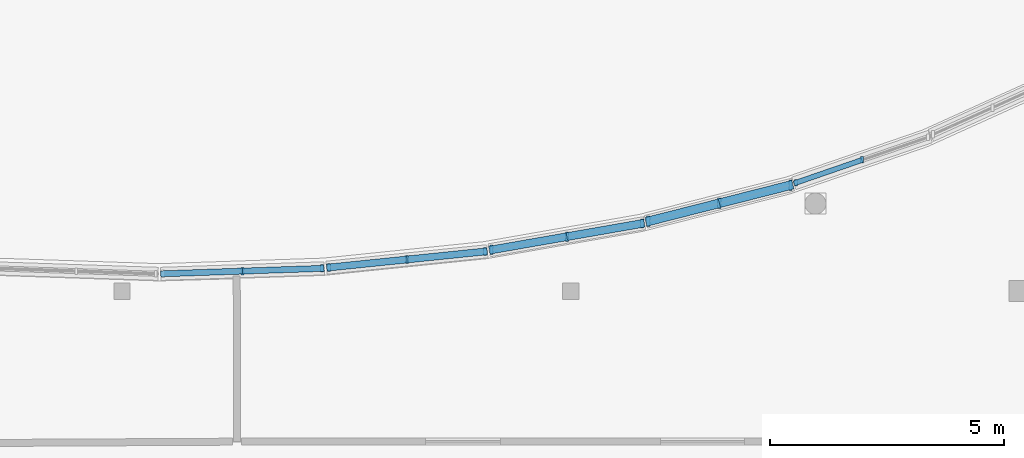
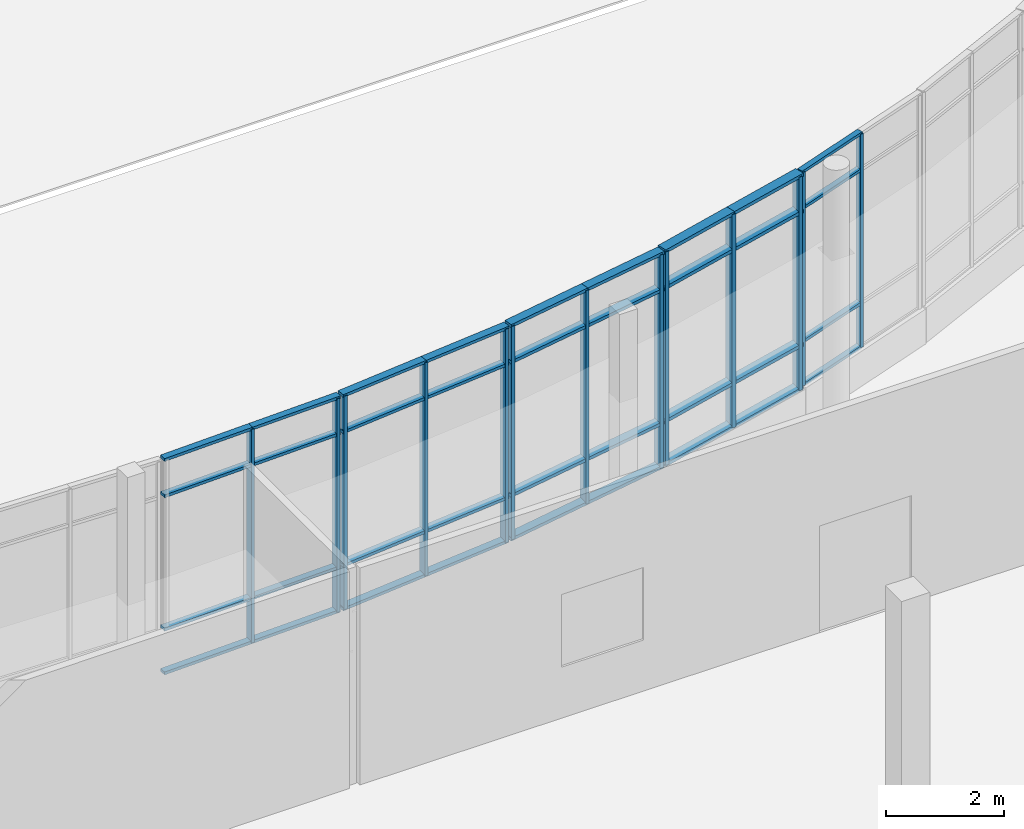
# One storey, part 14 of 84: 49 members, 5 elements without a shape of their own.
"""IFC4 building model written with IfcOpenShell, lengths in metres."""

from ifc_helpers import new_model, si_unit, direction, frame, origin, origin_2d, place, context, subcontext, project, spatial, rectangle, extrude, material, material_profile, profile_set, type_object, element, aggregate, save


model = new_model("IFC4")

# Units and contexts
model_context = context("Model", 3, precision=1e-05, world=origin(), true_north=direction((0.0, 1.0)))
body_context = subcontext(model_context, "Body", "Model", "MODEL_VIEW")
ifc_project = project(units=[si_unit("LENGTHUNIT", "METRE"), si_unit("AREAUNIT", "SQUARE_METRE"), si_unit("VOLUMEUNIT", "CUBIC_METRE"), si_unit("PLANEANGLEUNIT", "RADIAN"), si_unit("MASSUNIT", "GRAM", prefix="KILO")], contexts=[model_context])

# Site, building, storey
site_placement = place(None, origin())
site = spatial("IfcSite", under=ifc_project, at=site_placement, CompositionType="ELEMENT")
building_placement = place(site_placement, origin())
building = spatial("IfcBuilding", under=site, at=building_placement, Name="Mzevani Central Library", CompositionType="ELEMENT")
storey_placement = place(building_placement, origin())
storey = spatial("IfcBuildingStorey", under=building, at=storey_placement, Name="L00", CompositionType="ELEMENT", Elevation=0.0)

# Curtain wall, members
ifc_material_1 = material(Name="Thermally broken aluminium and Low-E triple glazing", Category="aluminium")
curtain_wall_type_1 = type_object("IfcCurtainWallType", Name="Elliptical Court Unitised Curtain Wall", PredefinedType="NOTDEFINED", material=ifc_material_1)
curtain_wall_1_placement = place(storey_placement, origin())
curtain_wall_1 = element("IfcCurtainWall", 1, at=curtain_wall_1_placement, inside=storey, type_object=curtain_wall_type_1, Name="L00 Elliptical Court Curtain Wall 41", PredefinedType="NOTDEFINED")
ifc_material_2 = material(Name="Thermally broken aluminium AW-6060", Category="aluminium")
ifc_material_profile_1 = material_profile(ifc_material_2, rectangle(XDim=0.06005859375, YDim=0.139892578125, at=origin_2d()), Name="ALU M60x140")
ifc_profile_set_1 = profile_set([ifc_material_profile_1], Name="Thermally broken aluminium AW-6060")
member_type_1 = type_object("IfcMemberType", Name="CW Mullion 60x140", PredefinedType="MULLION", material=ifc_profile_set_1)
member_1_placement = place(storey_placement, frame((97.62158203125, 63.920166015625, 0.719970703125), z_axis=(0.0, 0.0, 1.0), x_axis=(1.0, 0.0, 0.0)))
member_1 = element("IfcMember", 2, at=member_1_placement, type_object=member_type_1, Name="L00 Elliptical Court Curtain Wall 41 Mullion 1", PredefinedType="MULLION", context=body_context, shape_type="SweptSolid", body=[
    extrude(rectangle(XDim=0.06005859375, YDim=0.139892578125, at=origin_2d()), origin(), (0.0, 0.0, 1.0), 4.400146484375),
])
member_2_placement = place(storey_placement, frame((99.031494140625, 64.40576171875, 0.719970703125), z_axis=(0.0, 0.0, 1.0), x_axis=(1.0, 0.0, 0.0)))
member_2 = element("IfcMember", 3, at=member_2_placement, type_object=member_type_1, Name="L00 Elliptical Court Curtain Wall 41 Mullion 2", PredefinedType="MULLION", context=body_context, shape_type="SweptSolid", body=[
    extrude(rectangle(XDim=0.06005859375, YDim=0.139892578125, at=origin_2d()), origin(), (0.0, 0.0, 1.0), 4.400146484375),
])

curtain_wall_type_2 = type_object("IfcCurtainWallType", Name="Reading Hall Northlight Curtain Wall", PredefinedType="NOTDEFINED", material=ifc_material_1)
curtain_wall_2_placement = place(storey_placement, origin())
curtain_wall_2 = element("IfcCurtainWall", 4, at=curtain_wall_2_placement, inside=storey, type_object=curtain_wall_type_2, Name="L00 Elliptical Court Curtain Wall 37", PredefinedType="NOTDEFINED")
ifc_material_profile_2 = material_profile(ifc_material_2, rectangle(XDim=0.06005859375, YDim=0.159912109375, at=origin_2d()), Name="ALU M60x160")
ifc_profile_set_2 = profile_set([ifc_material_profile_2], Name="Thermally broken aluminium AW-6060")
member_type_2 = type_object("IfcMemberType", Name="CW Mullion 60x160", PredefinedType="MULLION", material=ifc_profile_set_2)
member_3_placement = place(storey_placement, frame((85.77685546875, 62.028564453125, 0.719970703125), z_axis=(0.0, 0.0, 1.0), x_axis=(1.0, 0.0, 0.0)))
member_3 = element("IfcMember", 5, at=member_3_placement, type_object=member_type_2, Name="L00 Elliptical Court Curtain Wall 37 Mullion 2", PredefinedType="MULLION", context=body_context, shape_type="SweptSolid", body=[
    extrude(rectangle(XDim=0.06005859375, YDim=0.159912109375, at=origin_2d()), origin(), (0.0, 0.0, 1.0), 4.400146484375),
])
member_4_placement = place(storey_placement, frame((87.475830078125, 62.0859375, 0.719970703125), z_axis=(0.0, 0.0, 1.0), x_axis=(1.0, 0.0, 0.0)))
member_4 = element("IfcMember", 6, at=member_4_placement, type_object=member_type_2, Name="L00 Elliptical Court Curtain Wall 37 Mullion 3", PredefinedType="MULLION", context=body_context, shape_type="SweptSolid", body=[
    extrude(rectangle(XDim=0.06005859375, YDim=0.159912109375, at=origin_2d()), origin(), (0.0, 0.0, 1.0), 4.400146484375),
])

curtain_wall_3_placement = place(storey_placement, origin())
curtain_wall_3 = element("IfcCurtainWall", 7, at=curtain_wall_3_placement, inside=storey, type_object=curtain_wall_type_1, Name="L00 Elliptical Court Curtain Wall 38", PredefinedType="NOTDEFINED")
ifc_material_profile_3 = material_profile(ifc_material_2, rectangle(XDim=0.06005859375, YDim=0.179931640625, at=origin_2d()), Name="ALU M60x180")
ifc_profile_set_3 = profile_set([ifc_material_profile_3], Name="Thermally broken aluminium AW-6060")
member_type_3 = type_object("IfcMemberType", Name="CW Mullion 60x180", PredefinedType="MULLION", material=ifc_profile_set_3)
member_5_placement = place(storey_placement, frame((87.626953125, 62.105712890625, 0.719970703125), z_axis=(0.0, 0.0, 1.0), x_axis=(1.0, 0.0, 0.0)))
member_5 = element("IfcMember", 8, at=member_5_placement, type_object=member_type_3, Name="L00 Elliptical Court Curtain Wall 38 Mullion 1", PredefinedType="MULLION", context=body_context, shape_type="SweptSolid", body=[
    extrude(rectangle(XDim=0.06005859375, YDim=0.179931640625, at=origin_2d()), origin(), (0.0, 0.0, 1.0), 4.400146484375),
])
member_6_placement = place(storey_placement, frame((89.29638671875, 62.27685546875, 0.719970703125), z_axis=(0.0, 0.0, 1.0), x_axis=(1.0, 0.0, 0.0)))
member_6 = element("IfcMember", 9, at=member_6_placement, type_object=member_type_3, Name="L00 Elliptical Court Curtain Wall 38 Mullion 2", PredefinedType="MULLION", context=body_context, shape_type="SweptSolid", body=[
    extrude(rectangle(XDim=0.06005859375, YDim=0.179931640625, at=origin_2d()), origin(), (0.0, 0.0, 1.0), 4.400146484375),
])
member_7_placement = place(storey_placement, frame((90.9658203125, 62.447998046875, 0.719970703125), z_axis=(0.0, 0.0, 1.0), x_axis=(1.0, 0.0, 0.0)))
member_7 = element("IfcMember", 10, at=member_7_placement, type_object=member_type_3, Name="L00 Elliptical Court Curtain Wall 38 Mullion 3", PredefinedType="MULLION", context=body_context, shape_type="SweptSolid", body=[
    extrude(rectangle(XDim=0.06005859375, YDim=0.179931640625, at=origin_2d()), origin(), (0.0, 0.0, 1.0), 4.400146484375),
])

curtain_wall_4_placement = place(storey_placement, origin())
curtain_wall_4 = element("IfcCurtainWall", 11, at=curtain_wall_4_placement, inside=storey, type_object=curtain_wall_type_1, Name="L00 Elliptical Court Curtain Wall 39", PredefinedType="NOTDEFINED")
ifc_material_profile_4 = material_profile(ifc_material_2, rectangle(XDim=0.06494140625, YDim=0.199951171875, at=origin_2d()), Name="ALU M65x200")
ifc_profile_set_4 = profile_set([ifc_material_profile_4], Name="Thermally broken aluminium AW-6060")
member_type_4 = type_object("IfcMemberType", Name="CW Mullion 65x200", PredefinedType="MULLION", material=ifc_profile_set_4)
member_8_placement = place(storey_placement, frame((91.106689453125, 62.483154296875, 0.719970703125), z_axis=(0.0, 0.0, 1.0), x_axis=(1.0, 0.0, 0.0)))
member_8 = element("IfcMember", 12, at=member_8_placement, type_object=member_type_4, Name="L00 Elliptical Court Curtain Wall 39 Mullion 1", PredefinedType="MULLION", context=body_context, shape_type="SweptSolid", body=[
    extrude(rectangle(XDim=0.06494140625, YDim=0.199951171875, at=origin_2d()), origin(), (0.0, 0.0, 1.0), 4.400146484375),
])
member_9_placement = place(storey_placement, frame((92.717041015625, 62.764892578125, 0.719970703125), z_axis=(0.0, 0.0, 1.0), x_axis=(1.0, 0.0, 0.0)))
member_9 = element("IfcMember", 13, at=member_9_placement, type_object=member_type_4, Name="L00 Elliptical Court Curtain Wall 39 Mullion 2", PredefinedType="MULLION", context=body_context, shape_type="SweptSolid", body=[
    extrude(rectangle(XDim=0.06494140625, YDim=0.199951171875, at=origin_2d()), origin(), (0.0, 0.0, 1.0), 4.400146484375),
])
member_10_placement = place(storey_placement, frame((94.32763671875, 63.046875, 0.719970703125), z_axis=(0.0, 0.0, 1.0), x_axis=(1.0, 0.0, 0.0)))
member_10 = element("IfcMember", 14, at=member_10_placement, type_object=member_type_4, Name="L00 Elliptical Court Curtain Wall 39 Mullion 3", PredefinedType="MULLION", context=body_context, shape_type="SweptSolid", body=[
    extrude(rectangle(XDim=0.06494140625, YDim=0.199951171875, at=origin_2d()), origin(), (0.0, 0.0, 1.0), 4.400146484375),
])

curtain_wall_5_placement = place(storey_placement, origin())
curtain_wall_5 = element("IfcCurtainWall", 15, at=curtain_wall_5_placement, inside=storey, type_object=curtain_wall_type_2, Name="L00 Elliptical Court Curtain Wall 40", PredefinedType="NOTDEFINED")
ifc_material_profile_5 = material_profile(ifc_material_2, rectangle(XDim=0.070068359375, YDim=0.219970703125, at=origin_2d()), Name="ALU M70x220")
ifc_profile_set_5 = profile_set([ifc_material_profile_5], Name="Thermally broken aluminium AW-6060")
member_type_5 = type_object("IfcMemberType", Name="CW Mullion 70x220", PredefinedType="MULLION", material=ifc_profile_set_5)
member_11_placement = place(storey_placement, frame((94.45654296875, 63.092529296875, 0.719970703125), z_axis=(0.0, 0.0, 1.0), x_axis=(1.0, 0.0, 0.0)))
member_11 = element("IfcMember", 16, at=member_11_placement, type_object=member_type_5, Name="L00 Elliptical Court Curtain Wall 40 Mullion 1", PredefinedType="MULLION", context=body_context, shape_type="SweptSolid", body=[
    extrude(rectangle(XDim=0.070068359375, YDim=0.219970703125, at=origin_2d()), origin(), (0.0, 0.0, 1.0), 4.400146484375),
])
member_12_placement = place(storey_placement, frame((95.97998046875, 63.479736328125, 0.719970703125), z_axis=(0.0, 0.0, 1.0), x_axis=(1.0, 0.0, 0.0)))
member_12 = element("IfcMember", 17, at=member_12_placement, type_object=member_type_5, Name="L00 Elliptical Court Curtain Wall 40 Mullion 2", PredefinedType="MULLION", context=body_context, shape_type="SweptSolid", body=[
    extrude(rectangle(XDim=0.070068359375, YDim=0.219970703125, at=origin_2d()), origin(), (0.0, 0.0, 1.0), 4.400146484375),
])
member_13_placement = place(storey_placement, frame((97.503662109375, 63.866943359375, 0.719970703125), z_axis=(0.0, 0.0, 1.0), x_axis=(1.0, 0.0, 0.0)))
member_13 = element("IfcMember", 18, at=member_13_placement, type_object=member_type_5, Name="L00 Elliptical Court Curtain Wall 40 Mullion 3", PredefinedType="MULLION", context=body_context, shape_type="SweptSolid", body=[
    extrude(rectangle(XDim=0.070068359375, YDim=0.219970703125, at=origin_2d()), origin(), (0.0, 0.0, 1.0), 4.400146484375),
])

# Member
ifc_material_profile_6 = material_profile(ifc_material_2, rectangle(XDim=0.110107421875, YDim=0.06005859375, at=origin_2d()), Name="ALU T60x110")
ifc_profile_set_6 = profile_set([ifc_material_profile_6], Name="Thermally broken aluminium AW-6060")
member_type_6 = type_object("IfcMemberType", Name="CW Transom 60x110", PredefinedType="USERDEFINED", material=ifc_profile_set_6)
member_14_placement = place(storey_placement, frame((97.57421875, 63.90380859375, 0.719970703125), z_axis=(0.945484024902, 0.325668479678, 0.0), x_axis=(-0.325668479678, 0.945484024902, 0.0)))
member_14 = element("IfcMember", 19, at=member_14_placement, type_object=member_type_6, Name="L00 Elliptical Court Curtain Wall 41 Transom 1", ObjectType="TRANSOM", PredefinedType="USERDEFINED", context=body_context, shape_type="SweptSolid", body=[
    extrude(rectangle(XDim=0.110107421875, YDim=0.06005859375, at=origin_2d()), origin(), (0.0, 0.0, 1.0), 1.541259765625),
])

member_15_placement = place(storey_placement, frame((97.57421875, 63.90380859375, 1.6201171875), z_axis=(0.945484024902, 0.325668479678, 0.0), x_axis=(-0.325668479678, 0.945484024902, 0.0)))
member_15 = element("IfcMember", 20, at=member_15_placement, type_object=member_type_6, Name="L00 Elliptical Court Curtain Wall 41 Transom 2", ObjectType="TRANSOM", PredefinedType="USERDEFINED", context=body_context, shape_type="SweptSolid", body=[
    extrude(rectangle(XDim=0.110107421875, YDim=0.06005859375, at=origin_2d()), origin(), (0.0, 0.0, 1.0), 1.541259765625),
])

member_16_placement = place(storey_placement, frame((97.57421875, 63.90380859375, 4.3701171875), z_axis=(0.945484024902, 0.325668479678, 0.0), x_axis=(-0.325668479678, 0.945484024902, 0.0)))
member_16 = element("IfcMember", 21, at=member_16_placement, type_object=member_type_6, Name="L00 Elliptical Court Curtain Wall 41 Transom 3", ObjectType="TRANSOM", PredefinedType="USERDEFINED", context=body_context, shape_type="SweptSolid", body=[
    extrude(rectangle(XDim=0.110107421875, YDim=0.06005859375, at=origin_2d()), origin(), (0.0, 0.0, 1.0), 1.541259765625),
])

member_17_placement = place(storey_placement, frame((97.57421875, 63.90380859375, 5.1201171875), z_axis=(0.945484024902, 0.325668479678, 0.0), x_axis=(-0.325668479678, 0.945484024902, 0.0)))
member_17 = element("IfcMember", 22, at=member_17_placement, type_object=member_type_6, Name="L00 Elliptical Court Curtain Wall 41 Transom 4", ObjectType="TRANSOM", PredefinedType="USERDEFINED", context=body_context, shape_type="SweptSolid", body=[
    extrude(rectangle(XDim=0.110107421875, YDim=0.06005859375, at=origin_2d()), origin(), (0.0, 0.0, 1.0), 1.541259765625),
])

aggregate(curtain_wall_1, [member_1, member_2, member_14, member_15, member_16, member_17])

ifc_material_profile_7 = material_profile(ifc_material_2, rectangle(XDim=0.1298828125, YDim=0.06005859375, at=origin_2d()), Name="ALU T60x130")
ifc_profile_set_7 = profile_set([ifc_material_profile_7], Name="Thermally broken aluminium AW-6060")
member_type_7 = type_object("IfcMemberType", Name="CW Transom 60x130", PredefinedType="USERDEFINED", material=ifc_profile_set_7)
member_18_placement = place(storey_placement, frame((84.02783203125, 61.969482421875, 0.719970703125), z_axis=(0.999429943241, 0.033760754643, 0.0), x_axis=(-0.033760754643, 0.999429943241, 0.0)))
member_18 = element("IfcMember", 23, at=member_18_placement, type_object=member_type_7, Name="L00 Elliptical Court Curtain Wall 37 Transom 1", ObjectType="TRANSOM", PredefinedType="USERDEFINED", context=body_context, shape_type="SweptSolid", body=[
    extrude(rectangle(XDim=0.1298828125, YDim=0.06005859375, at=origin_2d()), origin(), (0.0, 0.0, 1.0), 1.75),
])

member_19_placement = place(storey_placement, frame((84.02783203125, 61.969482421875, 1.6201171875), z_axis=(0.999429943241, 0.033760754643, 0.0), x_axis=(-0.033760754643, 0.999429943241, 0.0)))
member_19 = element("IfcMember", 24, at=member_19_placement, type_object=member_type_7, Name="L00 Elliptical Court Curtain Wall 37 Transom 2", ObjectType="TRANSOM", PredefinedType="USERDEFINED", context=body_context, shape_type="SweptSolid", body=[
    extrude(rectangle(XDim=0.1298828125, YDim=0.06005859375, at=origin_2d()), origin(), (0.0, 0.0, 1.0), 1.75),
])

member_20_placement = place(storey_placement, frame((84.02783203125, 61.969482421875, 4.3701171875), z_axis=(0.999429943241, 0.033760754643, 0.0), x_axis=(-0.033760754643, 0.999429943241, 0.0)))
member_20 = element("IfcMember", 25, at=member_20_placement, type_object=member_type_7, Name="L00 Elliptical Court Curtain Wall 37 Transom 3", ObjectType="TRANSOM", PredefinedType="USERDEFINED", context=body_context, shape_type="SweptSolid", body=[
    extrude(rectangle(XDim=0.1298828125, YDim=0.06005859375, at=origin_2d()), origin(), (0.0, 0.0, 1.0), 1.75),
])

member_21_placement = place(storey_placement, frame((84.02783203125, 61.969482421875, 5.1201171875), z_axis=(0.999429943241, 0.033760754643, 0.0), x_axis=(-0.033760754643, 0.999429943241, 0.0)))
member_21 = element("IfcMember", 26, at=member_21_placement, type_object=member_type_7, Name="L00 Elliptical Court Curtain Wall 37 Transom 4", ObjectType="TRANSOM", PredefinedType="USERDEFINED", context=body_context, shape_type="SweptSolid", body=[
    extrude(rectangle(XDim=0.1298828125, YDim=0.06005859375, at=origin_2d()), origin(), (0.0, 0.0, 1.0), 1.75),
])

member_22_placement = place(storey_placement, frame((85.77685546875, 62.028564453125, 0.719970703125), z_axis=(0.999429943241, 0.033760754643, 0.0), x_axis=(-0.033760754643, 0.999429943241, 0.0)))
member_22 = element("IfcMember", 27, at=member_22_placement, type_object=member_type_7, Name="L00 Elliptical Court Curtain Wall 37 Transom 5", ObjectType="TRANSOM", PredefinedType="USERDEFINED", context=body_context, shape_type="SweptSolid", body=[
    extrude(rectangle(XDim=0.1298828125, YDim=0.06005859375, at=origin_2d()), origin(), (0.0, 0.0, 1.0), 1.75),
])

member_23_placement = place(storey_placement, frame((85.77685546875, 62.028564453125, 1.6201171875), z_axis=(0.999429943241, 0.033760754643, 0.0), x_axis=(-0.033760754643, 0.999429943241, 0.0)))
member_23 = element("IfcMember", 28, at=member_23_placement, type_object=member_type_7, Name="L00 Elliptical Court Curtain Wall 37 Transom 6", ObjectType="TRANSOM", PredefinedType="USERDEFINED", context=body_context, shape_type="SweptSolid", body=[
    extrude(rectangle(XDim=0.1298828125, YDim=0.06005859375, at=origin_2d()), origin(), (0.0, 0.0, 1.0), 1.75),
])

member_24_placement = place(storey_placement, frame((85.77685546875, 62.028564453125, 4.3701171875), z_axis=(0.999429943241, 0.033760754643, 0.0), x_axis=(-0.033760754643, 0.999429943241, 0.0)))
member_24 = element("IfcMember", 29, at=member_24_placement, type_object=member_type_7, Name="L00 Elliptical Court Curtain Wall 37 Transom 7", ObjectType="TRANSOM", PredefinedType="USERDEFINED", context=body_context, shape_type="SweptSolid", body=[
    extrude(rectangle(XDim=0.1298828125, YDim=0.06005859375, at=origin_2d()), origin(), (0.0, 0.0, 1.0), 1.75),
])

member_25_placement = place(storey_placement, frame((85.77685546875, 62.028564453125, 5.1201171875), z_axis=(0.999429943241, 0.033760754643, 0.0), x_axis=(-0.033760754643, 0.999429943241, 0.0)))
member_25 = element("IfcMember", 30, at=member_25_placement, type_object=member_type_7, Name="L00 Elliptical Court Curtain Wall 37 Transom 8", ObjectType="TRANSOM", PredefinedType="USERDEFINED", context=body_context, shape_type="SweptSolid", body=[
    extrude(rectangle(XDim=0.1298828125, YDim=0.06005859375, at=origin_2d()), origin(), (0.0, 0.0, 1.0), 1.75),
])

aggregate(curtain_wall_2, [member_3, member_4, member_18, member_19, member_20, member_21, member_22, member_23, member_24, member_25])

ifc_material_profile_8 = material_profile(ifc_material_2, rectangle(XDim=0.14990234375, YDim=0.06005859375, at=origin_2d()), Name="ALU T60x150")
ifc_profile_set_8 = profile_set([ifc_material_profile_8], Name="Thermally broken aluminium AW-6060")
member_type_8 = type_object("IfcMemberType", Name="CW Transom 60x150", PredefinedType="USERDEFINED", material=ifc_profile_set_8)
member_26_placement = place(storey_placement, frame((87.577392578125, 62.1005859375, 0.719970703125), z_axis=(0.994783644511, 0.102007355679, 0.0), x_axis=(-0.102007355679, 0.994783644511, 0.0)))
member_26 = element("IfcMember", 31, at=member_26_placement, type_object=member_type_8, Name="L00 Elliptical Court Curtain Wall 38 Transom 1", ObjectType="TRANSOM", PredefinedType="USERDEFINED", context=body_context, shape_type="SweptSolid", body=[
    extrude(rectangle(XDim=0.14990234375, YDim=0.06005859375, at=origin_2d()), origin(), (0.0, 0.0, 1.0), 1.72802734375),
])

member_27_placement = place(storey_placement, frame((87.577392578125, 62.1005859375, 1.6201171875), z_axis=(0.994783644511, 0.102007355679, 0.0), x_axis=(-0.102007355679, 0.994783644511, 0.0)))
member_27 = element("IfcMember", 32, at=member_27_placement, type_object=member_type_8, Name="L00 Elliptical Court Curtain Wall 38 Transom 2", ObjectType="TRANSOM", PredefinedType="USERDEFINED", context=body_context, shape_type="SweptSolid", body=[
    extrude(rectangle(XDim=0.14990234375, YDim=0.06005859375, at=origin_2d()), origin(), (0.0, 0.0, 1.0), 1.72802734375),
])

member_28_placement = place(storey_placement, frame((87.577392578125, 62.1005859375, 4.3701171875), z_axis=(0.994783644511, 0.102007355679, 0.0), x_axis=(-0.102007355679, 0.994783644511, 0.0)))
member_28 = element("IfcMember", 33, at=member_28_placement, type_object=member_type_8, Name="L00 Elliptical Court Curtain Wall 38 Transom 3", ObjectType="TRANSOM", PredefinedType="USERDEFINED", context=body_context, shape_type="SweptSolid", body=[
    extrude(rectangle(XDim=0.14990234375, YDim=0.06005859375, at=origin_2d()), origin(), (0.0, 0.0, 1.0), 1.72802734375),
])

member_29_placement = place(storey_placement, frame((87.577392578125, 62.1005859375, 5.1201171875), z_axis=(0.994783644511, 0.102007355679, 0.0), x_axis=(-0.102007355679, 0.994783644511, 0.0)))
member_29 = element("IfcMember", 34, at=member_29_placement, type_object=member_type_8, Name="L00 Elliptical Court Curtain Wall 38 Transom 4", ObjectType="TRANSOM", PredefinedType="USERDEFINED", context=body_context, shape_type="SweptSolid", body=[
    extrude(rectangle(XDim=0.14990234375, YDim=0.06005859375, at=origin_2d()), origin(), (0.0, 0.0, 1.0), 1.72802734375),
])

member_30_placement = place(storey_placement, frame((89.29638671875, 62.27685546875, 0.719970703125), z_axis=(0.994785114337, 0.101993020811, 0.0), x_axis=(-0.101993020811, 0.994785114337, 0.0)))
member_30 = element("IfcMember", 35, at=member_30_placement, type_object=member_type_8, Name="L00 Elliptical Court Curtain Wall 38 Transom 5", ObjectType="TRANSOM", PredefinedType="USERDEFINED", context=body_context, shape_type="SweptSolid", body=[
    extrude(rectangle(XDim=0.14990234375, YDim=0.06005859375, at=origin_2d()), origin(), (0.0, 0.0, 1.0), 1.728271484375),
])

member_31_placement = place(storey_placement, frame((89.29638671875, 62.27685546875, 1.6201171875), z_axis=(0.994785114337, 0.101993020811, 0.0), x_axis=(-0.101993020811, 0.994785114337, 0.0)))
member_31 = element("IfcMember", 36, at=member_31_placement, type_object=member_type_8, Name="L00 Elliptical Court Curtain Wall 38 Transom 6", ObjectType="TRANSOM", PredefinedType="USERDEFINED", context=body_context, shape_type="SweptSolid", body=[
    extrude(rectangle(XDim=0.14990234375, YDim=0.06005859375, at=origin_2d()), origin(), (0.0, 0.0, 1.0), 1.728271484375),
])

member_32_placement = place(storey_placement, frame((89.29638671875, 62.27685546875, 4.3701171875), z_axis=(0.994785114337, 0.101993020811, 0.0), x_axis=(-0.101993020811, 0.994785114337, 0.0)))
member_32 = element("IfcMember", 37, at=member_32_placement, type_object=member_type_8, Name="L00 Elliptical Court Curtain Wall 38 Transom 7", ObjectType="TRANSOM", PredefinedType="USERDEFINED", context=body_context, shape_type="SweptSolid", body=[
    extrude(rectangle(XDim=0.14990234375, YDim=0.06005859375, at=origin_2d()), origin(), (0.0, 0.0, 1.0), 1.728271484375),
])

member_33_placement = place(storey_placement, frame((89.29638671875, 62.27685546875, 5.1201171875), z_axis=(0.994785114337, 0.101993020811, 0.0), x_axis=(-0.101993020811, 0.994785114337, 0.0)))
member_33 = element("IfcMember", 38, at=member_33_placement, type_object=member_type_8, Name="L00 Elliptical Court Curtain Wall 38 Transom 8", ObjectType="TRANSOM", PredefinedType="USERDEFINED", context=body_context, shape_type="SweptSolid", body=[
    extrude(rectangle(XDim=0.14990234375, YDim=0.06005859375, at=origin_2d()), origin(), (0.0, 0.0, 1.0), 1.728271484375),
])

aggregate(curtain_wall_3, [member_5, member_6, member_7, member_26, member_27, member_28, member_29, member_30, member_31, member_32, member_33])

ifc_material_profile_9 = material_profile(ifc_material_2, rectangle(XDim=0.169921875, YDim=0.06494140625, at=origin_2d()), Name="ALU T65x170")
ifc_profile_set_9 = profile_set([ifc_material_profile_9], Name="Thermally broken aluminium AW-6060")
member_type_9 = type_object("IfcMemberType", Name="CW Transom 65x170", PredefinedType="USERDEFINED", material=ifc_profile_set_9)
member_34_placement = place(storey_placement, frame((91.057373046875, 62.474609375, 0.719970703125), z_axis=(0.985046455782, 0.172288943208, 0.0), x_axis=(-0.172288943208, 0.985046455782, 0.0)))
member_34 = element("IfcMember", 39, at=member_34_placement, type_object=member_type_9, Name="L00 Elliptical Court Curtain Wall 39 Transom 1", ObjectType="TRANSOM", PredefinedType="USERDEFINED", context=body_context, shape_type="SweptSolid", body=[
    extrude(rectangle(XDim=0.169921875, YDim=0.06494140625, at=origin_2d()), origin(), (0.0, 0.0, 1.0), 1.684814453125),
])

member_35_placement = place(storey_placement, frame((91.057373046875, 62.474609375, 1.6201171875), z_axis=(0.985046455782, 0.172288943208, 0.0), x_axis=(-0.172288943208, 0.985046455782, 0.0)))
member_35 = element("IfcMember", 40, at=member_35_placement, type_object=member_type_9, Name="L00 Elliptical Court Curtain Wall 39 Transom 2", ObjectType="TRANSOM", PredefinedType="USERDEFINED", context=body_context, shape_type="SweptSolid", body=[
    extrude(rectangle(XDim=0.169921875, YDim=0.06494140625, at=origin_2d()), origin(), (0.0, 0.0, 1.0), 1.684814453125),
])

member_36_placement = place(storey_placement, frame((91.057373046875, 62.474609375, 4.3701171875), z_axis=(0.985046455782, 0.172288943208, 0.0), x_axis=(-0.172288943208, 0.985046455782, 0.0)))
member_36 = element("IfcMember", 41, at=member_36_placement, type_object=member_type_9, Name="L00 Elliptical Court Curtain Wall 39 Transom 3", ObjectType="TRANSOM", PredefinedType="USERDEFINED", context=body_context, shape_type="SweptSolid", body=[
    extrude(rectangle(XDim=0.169921875, YDim=0.06494140625, at=origin_2d()), origin(), (0.0, 0.0, 1.0), 1.684814453125),
])

member_37_placement = place(storey_placement, frame((91.057373046875, 62.474609375, 5.1201171875), z_axis=(0.985046455782, 0.172288943208, 0.0), x_axis=(-0.172288943208, 0.985046455782, 0.0)))
member_37 = element("IfcMember", 42, at=member_37_placement, type_object=member_type_9, Name="L00 Elliptical Court Curtain Wall 39 Transom 4", ObjectType="TRANSOM", PredefinedType="USERDEFINED", context=body_context, shape_type="SweptSolid", body=[
    extrude(rectangle(XDim=0.169921875, YDim=0.06494140625, at=origin_2d()), origin(), (0.0, 0.0, 1.0), 1.684814453125),
])

member_38_placement = place(storey_placement, frame((92.717041015625, 62.764892578125, 0.719970703125), z_axis=(0.985026161799, 0.172404931981, 0.0), x_axis=(-0.172404931981, 0.985026161799, 0.0)))
member_38 = element("IfcMember", 43, at=member_38_placement, type_object=member_type_9, Name="L00 Elliptical Court Curtain Wall 39 Transom 5", ObjectType="TRANSOM", PredefinedType="USERDEFINED", context=body_context, shape_type="SweptSolid", body=[
    extrude(rectangle(XDim=0.169921875, YDim=0.06494140625, at=origin_2d()), origin(), (0.0, 0.0, 1.0), 1.68505859375),
])

member_39_placement = place(storey_placement, frame((92.717041015625, 62.764892578125, 1.6201171875), z_axis=(0.985026161799, 0.172404931981, 0.0), x_axis=(-0.172404931981, 0.985026161799, 0.0)))
member_39 = element("IfcMember", 44, at=member_39_placement, type_object=member_type_9, Name="L00 Elliptical Court Curtain Wall 39 Transom 6", ObjectType="TRANSOM", PredefinedType="USERDEFINED", context=body_context, shape_type="SweptSolid", body=[
    extrude(rectangle(XDim=0.169921875, YDim=0.06494140625, at=origin_2d()), origin(), (0.0, 0.0, 1.0), 1.68505859375),
])

member_40_placement = place(storey_placement, frame((92.717041015625, 62.764892578125, 4.3701171875), z_axis=(0.985026161799, 0.172404931981, 0.0), x_axis=(-0.172404931981, 0.985026161799, 0.0)))
member_40 = element("IfcMember", 45, at=member_40_placement, type_object=member_type_9, Name="L00 Elliptical Court Curtain Wall 39 Transom 7", ObjectType="TRANSOM", PredefinedType="USERDEFINED", context=body_context, shape_type="SweptSolid", body=[
    extrude(rectangle(XDim=0.169921875, YDim=0.06494140625, at=origin_2d()), origin(), (0.0, 0.0, 1.0), 1.68505859375),
])

member_41_placement = place(storey_placement, frame((92.717041015625, 62.764892578125, 5.1201171875), z_axis=(0.985026161799, 0.172404931981, 0.0), x_axis=(-0.172404931981, 0.985026161799, 0.0)))
member_41 = element("IfcMember", 46, at=member_41_placement, type_object=member_type_9, Name="L00 Elliptical Court Curtain Wall 39 Transom 8", ObjectType="TRANSOM", PredefinedType="USERDEFINED", context=body_context, shape_type="SweptSolid", body=[
    extrude(rectangle(XDim=0.169921875, YDim=0.06494140625, at=origin_2d()), origin(), (0.0, 0.0, 1.0), 1.68505859375),
])

aggregate(curtain_wall_4, [member_8, member_9, member_10, member_34, member_35, member_36, member_37, member_38, member_39, member_40, member_41])

ifc_material_profile_10 = material_profile(ifc_material_2, rectangle(XDim=0.18994140625, YDim=0.070068359375, at=origin_2d()), Name="ALU T70x190")
ifc_profile_set_10 = profile_set([ifc_material_profile_10], Name="Thermally broken aluminium AW-6060")
member_type_10 = type_object("IfcMemberType", Name="CW Transom 70x190", PredefinedType="USERDEFINED", material=ifc_profile_set_10)
member_42_placement = place(storey_placement, frame((94.407958984375, 63.080078125, 0.719970703125), z_axis=(0.969169749502, 0.246393986634, 0.0), x_axis=(-0.246393986634, 0.969169749502, 0.0)))
member_42 = element("IfcMember", 47, at=member_42_placement, type_object=member_type_10, Name="L00 Elliptical Court Curtain Wall 40 Transom 1", ObjectType="TRANSOM", PredefinedType="USERDEFINED", context=body_context, shape_type="SweptSolid", body=[
    extrude(rectangle(XDim=0.18994140625, YDim=0.070068359375, at=origin_2d()), origin(), (0.0, 0.0, 1.0), 1.6220703125),
])

member_43_placement = place(storey_placement, frame((94.407958984375, 63.080078125, 1.6201171875), z_axis=(0.969169749502, 0.246393986634, 0.0), x_axis=(-0.246393986634, 0.969169749502, 0.0)))
member_43 = element("IfcMember", 48, at=member_43_placement, type_object=member_type_10, Name="L00 Elliptical Court Curtain Wall 40 Transom 2", ObjectType="TRANSOM", PredefinedType="USERDEFINED", context=body_context, shape_type="SweptSolid", body=[
    extrude(rectangle(XDim=0.18994140625, YDim=0.070068359375, at=origin_2d()), origin(), (0.0, 0.0, 1.0), 1.6220703125),
])

member_44_placement = place(storey_placement, frame((94.407958984375, 63.080078125, 4.3701171875), z_axis=(0.969169749502, 0.246393986634, 0.0), x_axis=(-0.246393986634, 0.969169749502, 0.0)))
member_44 = element("IfcMember", 49, at=member_44_placement, type_object=member_type_10, Name="L00 Elliptical Court Curtain Wall 40 Transom 3", ObjectType="TRANSOM", PredefinedType="USERDEFINED", context=body_context, shape_type="SweptSolid", body=[
    extrude(rectangle(XDim=0.18994140625, YDim=0.070068359375, at=origin_2d()), origin(), (0.0, 0.0, 1.0), 1.6220703125),
])

member_45_placement = place(storey_placement, frame((94.407958984375, 63.080078125, 5.1201171875), z_axis=(0.969169749502, 0.246393986634, 0.0), x_axis=(-0.246393986634, 0.969169749502, 0.0)))
member_45 = element("IfcMember", 50, at=member_45_placement, type_object=member_type_10, Name="L00 Elliptical Court Curtain Wall 40 Transom 4", ObjectType="TRANSOM", PredefinedType="USERDEFINED", context=body_context, shape_type="SweptSolid", body=[
    extrude(rectangle(XDim=0.18994140625, YDim=0.070068359375, at=origin_2d()), origin(), (0.0, 0.0, 1.0), 1.6220703125),
])

member_46_placement = place(storey_placement, frame((95.97998046875, 63.479736328125, 0.719970703125), z_axis=(0.969205683279, 0.246252601001, 0.0), x_axis=(-0.246252601001, 0.969205683279, 0.0)))
member_46 = element("IfcMember", 51, at=member_46_placement, type_object=member_type_10, Name="L00 Elliptical Court Curtain Wall 40 Transom 5", ObjectType="TRANSOM", PredefinedType="USERDEFINED", context=body_context, shape_type="SweptSolid", body=[
    extrude(rectangle(XDim=0.18994140625, YDim=0.070068359375, at=origin_2d()), origin(), (0.0, 0.0, 1.0), 1.6220703125),
])

member_47_placement = place(storey_placement, frame((95.97998046875, 63.479736328125, 1.6201171875), z_axis=(0.969205683279, 0.246252601001, 0.0), x_axis=(-0.246252601001, 0.969205683279, 0.0)))
member_47 = element("IfcMember", 52, at=member_47_placement, type_object=member_type_10, Name="L00 Elliptical Court Curtain Wall 40 Transom 6", ObjectType="TRANSOM", PredefinedType="USERDEFINED", context=body_context, shape_type="SweptSolid", body=[
    extrude(rectangle(XDim=0.18994140625, YDim=0.070068359375, at=origin_2d()), origin(), (0.0, 0.0, 1.0), 1.6220703125),
])

member_48_placement = place(storey_placement, frame((95.97998046875, 63.479736328125, 4.3701171875), z_axis=(0.969205683279, 0.246252601001, 0.0), x_axis=(-0.246252601001, 0.969205683279, 0.0)))
member_48 = element("IfcMember", 53, at=member_48_placement, type_object=member_type_10, Name="L00 Elliptical Court Curtain Wall 40 Transom 7", ObjectType="TRANSOM", PredefinedType="USERDEFINED", context=body_context, shape_type="SweptSolid", body=[
    extrude(rectangle(XDim=0.18994140625, YDim=0.070068359375, at=origin_2d()), origin(), (0.0, 0.0, 1.0), 1.6220703125),
])

member_49_placement = place(storey_placement, frame((95.97998046875, 63.479736328125, 5.1201171875), z_axis=(0.969205683279, 0.246252601001, 0.0), x_axis=(-0.246252601001, 0.969205683279, 0.0)))
member_49 = element("IfcMember", 54, at=member_49_placement, type_object=member_type_10, Name="L00 Elliptical Court Curtain Wall 40 Transom 8", ObjectType="TRANSOM", PredefinedType="USERDEFINED", context=body_context, shape_type="SweptSolid", body=[
    extrude(rectangle(XDim=0.18994140625, YDim=0.070068359375, at=origin_2d()), origin(), (0.0, 0.0, 1.0), 1.6220703125),
])

aggregate(curtain_wall_5, [member_11, member_12, member_13, member_42, member_43, member_44, member_45, member_46, member_47, member_48, member_49])

save(model, "model.ifc")
